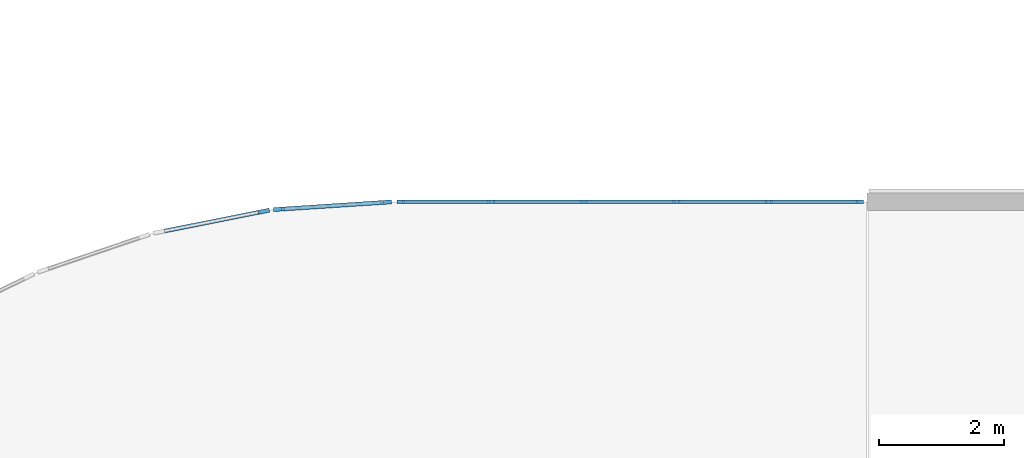
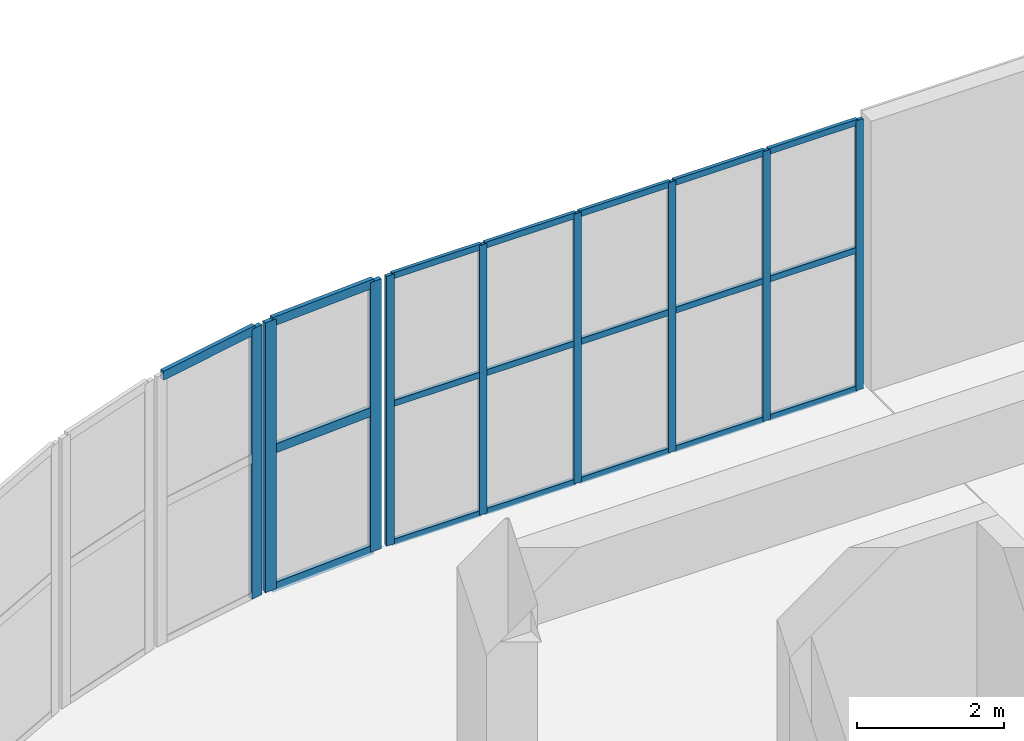
# One storey, part 12 of 33: 28 members, 3 elements without a shape of their own.
"""IFC4 building model written with IfcOpenShell, lengths in metres."""

from ifc_helpers import new_model, si_unit, direction, frame, origin, origin_2d, place, context, subcontext, project, spatial, rectangle, extrude, material, layer, layer_set, material_profile, profile_set, type_object, element, aggregate, save


model = new_model("IFC4")

# Units and contexts
model_context = context("Model", 3, precision=1e-05, world=origin(), true_north=direction((0.0, 1.0)))
body_context = subcontext(model_context, "Body", "Model", "MODEL_VIEW")
ifc_project = project(units=[si_unit("LENGTHUNIT", "METRE"), si_unit("AREAUNIT", "SQUARE_METRE"), si_unit("VOLUMEUNIT", "CUBIC_METRE"), si_unit("PLANEANGLEUNIT", "RADIAN"), si_unit("MASSUNIT", "GRAM", prefix="KILO")], contexts=[model_context])

# Site, building, storey
site_placement = place(None, origin())
site = spatial("IfcSite", under=ifc_project, at=site_placement, CompositionType="ELEMENT")
building_placement = place(site_placement, origin())
building = spatial("IfcBuilding", under=site, at=building_placement, Name="Cendralis Terraced Arcade", CompositionType="ELEMENT")
storey_placement = place(building_placement, frame((0.0, 0.0, 19.800048828125)))
storey = spatial("IfcBuildingStorey", under=building, at=storey_placement, Name="L04", CompositionType="ELEMENT", Elevation=19.800048828125)

# Curtain wall, members
ifc_material = material(Name="Anodised aluminium EN AW-6063 T6", Category="aluminium")
ifc_layer_1 = layer(ifc_material, 0.1201171875, Name="CW-STORE-B")
ifc_layer_set_1 = layer_set([ifc_layer_1], Name="Anodised aluminium EN AW-6063 T6")
curtain_wall_type_1 = type_object("IfcCurtainWallType", Name="CW-STORE-B", PredefinedType="USERDEFINED", material=ifc_layer_set_1)
curtain_wall_1_placement = place(storey_placement, origin())
curtain_wall_1 = element("IfcCurtainWall", 1, at=curtain_wall_1_placement, inside=storey, type_object=curtain_wall_type_1, Name="Exterior Storefront Glazing CW-L04-0376", ObjectType="STOREFRONT GLAZING", PredefinedType="USERDEFINED")
ifc_material_profile_1 = material_profile(ifc_material, rectangle(XDim=0.054931640625, YDim=0.1201171875, at=origin_2d()), Name="ALU-MUL-55x120")
ifc_profile_set_1 = profile_set([ifc_material_profile_1], Name="Anodised aluminium EN AW-6063 T6")
member_type_1 = type_object("IfcMemberType", Name="CW-STORE-B-MUL", PredefinedType="MULLION", material=ifc_profile_set_1)
member_1_placement = place(storey_placement, frame((21.3173828125, 85.800048828125, 0.0), z_axis=(0.0, 0.0, 1.0), x_axis=(0.0, 1.0, 0.0)))
member_1 = element("IfcMember", 2, at=member_1_placement, type_object=member_type_1, Name="CW-S2 mullion 1", PredefinedType="MULLION", context=body_context, shape_type="SweptSolid", body=[
    extrude(rectangle(XDim=0.054931640625, YDim=0.1201171875, at=origin_2d()), origin(), (0.0, 0.0, 1.0), 4.47998046875),
])
member_2_placement = place(storey_placement, frame((22.77392578125, 85.800048828125, 0.0), z_axis=(0.0, 0.0, 1.0), x_axis=(0.0, 1.0, 0.0)))
member_2 = element("IfcMember", 3, at=member_2_placement, type_object=member_type_1, Name="CW-S2 mullion 2", PredefinedType="MULLION", context=body_context, shape_type="SweptSolid", body=[
    extrude(rectangle(XDim=0.054931640625, YDim=0.1201171875, at=origin_2d()), origin(), (0.0, 0.0, 1.0), 4.47998046875),
])
member_3_placement = place(storey_placement, frame((24.258056640625, 85.800048828125, 0.0), z_axis=(0.0, 0.0, 1.0), x_axis=(0.0, 1.0, 0.0)))
member_3 = element("IfcMember", 4, at=member_3_placement, type_object=member_type_1, Name="CW-S2 mullion 3", PredefinedType="MULLION", context=body_context, shape_type="SweptSolid", body=[
    extrude(rectangle(XDim=0.054931640625, YDim=0.1201171875, at=origin_2d()), origin(), (0.0, 0.0, 1.0), 4.47998046875),
])
member_4_placement = place(storey_placement, frame((25.741943359375, 85.800048828125, 0.0), z_axis=(0.0, 0.0, 1.0), x_axis=(0.0, 1.0, 0.0)))
member_4 = element("IfcMember", 5, at=member_4_placement, type_object=member_type_1, Name="CW-S2 mullion 4", PredefinedType="MULLION", context=body_context, shape_type="SweptSolid", body=[
    extrude(rectangle(XDim=0.054931640625, YDim=0.1201171875, at=origin_2d()), origin(), (0.0, 0.0, 1.0), 4.47998046875),
])
member_5_placement = place(storey_placement, frame((27.22607421875, 85.800048828125, 0.0), z_axis=(0.0, 0.0, 1.0), x_axis=(0.0, 1.0, 0.0)))
member_5 = element("IfcMember", 6, at=member_5_placement, type_object=member_type_1, Name="CW-S2 mullion 5", PredefinedType="MULLION", context=body_context, shape_type="SweptSolid", body=[
    extrude(rectangle(XDim=0.054931640625, YDim=0.1201171875, at=origin_2d()), origin(), (0.0, 0.0, 1.0), 4.47998046875),
])
member_6_placement = place(storey_placement, frame((28.6826171875, 85.800048828125, 0.0), z_axis=(0.0, 0.0, 1.0), x_axis=(0.0, 1.0, 0.0)))
member_6 = element("IfcMember", 7, at=member_6_placement, type_object=member_type_1, Name="CW-S2 mullion 6", PredefinedType="MULLION", context=body_context, shape_type="SweptSolid", body=[
    extrude(rectangle(XDim=0.054931640625, YDim=0.1201171875, at=origin_2d()), origin(), (0.0, 0.0, 1.0), 4.47998046875),
])
ifc_material_profile_2 = material_profile(ifc_material, rectangle(XDim=0.054931640625, YDim=0.10009765625, at=origin_2d()), Name="ALU-TRN-55x100")
ifc_profile_set_2 = profile_set([ifc_material_profile_2], Name="Anodised aluminium EN AW-6063 T6")
member_type_2 = type_object("IfcMemberType", Name="CW-STORE-B-TRN", PredefinedType="USERDEFINED", material=ifc_profile_set_2)
member_7_placement = place(storey_placement, frame((21.344970703125, 85.800048828125, 0.02734375), z_axis=(1.0, 0.0, 0.0), x_axis=(0.0, 1.0, 0.0)))
member_7 = element("IfcMember", 8, at=member_7_placement, type_object=member_type_2, Name="CW-S2 transom 1.1", ObjectType="TRANSOM", PredefinedType="USERDEFINED", context=body_context, shape_type="SweptSolid", body=[
    extrude(rectangle(XDim=0.054931640625, YDim=0.10009765625, at=origin_2d()), origin(), (0.0, 0.0, 1.0), 1.401611328125),
])
member_8_placement = place(storey_placement, frame((21.344970703125, 85.800048828125, 2.32958984375), z_axis=(1.0, 0.0, 0.0), x_axis=(0.0, 1.0, 0.0)))
member_8 = element("IfcMember", 9, at=member_8_placement, type_object=member_type_2, Name="CW-S2 transom 1.2", ObjectType="TRANSOM", PredefinedType="USERDEFINED", context=body_context, shape_type="SweptSolid", body=[
    extrude(rectangle(XDim=0.054931640625, YDim=0.10009765625, at=origin_2d()), origin(), (0.0, 0.0, 1.0), 1.401611328125),
])
member_9_placement = place(storey_placement, frame((21.344970703125, 85.800048828125, 4.452392578125), z_axis=(1.0, 0.0, 0.0), x_axis=(0.0, 1.0, 0.0)))
member_9 = element("IfcMember", 10, at=member_9_placement, type_object=member_type_2, Name="CW-S2 transom 1.3", ObjectType="TRANSOM", PredefinedType="USERDEFINED", context=body_context, shape_type="SweptSolid", body=[
    extrude(rectangle(XDim=0.054931640625, YDim=0.10009765625, at=origin_2d()), origin(), (0.0, 0.0, 1.0), 1.401611328125),
])
member_10_placement = place(storey_placement, frame((22.801513671875, 85.800048828125, 0.02734375), z_axis=(1.0, 0.0, 0.0), x_axis=(0.0, 1.0, 0.0)))
member_10 = element("IfcMember", 11, at=member_10_placement, type_object=member_type_2, Name="CW-S2 transom 2.1", ObjectType="TRANSOM", PredefinedType="USERDEFINED", context=body_context, shape_type="SweptSolid", body=[
    extrude(rectangle(XDim=0.054931640625, YDim=0.10009765625, at=origin_2d()), origin(), (0.0, 0.0, 1.0), 1.428955078125),
])
member_11_placement = place(storey_placement, frame((22.801513671875, 85.800048828125, 2.32958984375), z_axis=(1.0, 0.0, 0.0), x_axis=(0.0, 1.0, 0.0)))
member_11 = element("IfcMember", 12, at=member_11_placement, type_object=member_type_2, Name="CW-S2 transom 2.2", ObjectType="TRANSOM", PredefinedType="USERDEFINED", context=body_context, shape_type="SweptSolid", body=[
    extrude(rectangle(XDim=0.054931640625, YDim=0.10009765625, at=origin_2d()), origin(), (0.0, 0.0, 1.0), 1.428955078125),
])
member_12_placement = place(storey_placement, frame((22.801513671875, 85.800048828125, 4.452392578125), z_axis=(1.0, 0.0, 0.0), x_axis=(0.0, 1.0, 0.0)))
member_12 = element("IfcMember", 13, at=member_12_placement, type_object=member_type_2, Name="CW-S2 transom 2.3", ObjectType="TRANSOM", PredefinedType="USERDEFINED", context=body_context, shape_type="SweptSolid", body=[
    extrude(rectangle(XDim=0.054931640625, YDim=0.10009765625, at=origin_2d()), origin(), (0.0, 0.0, 1.0), 1.428955078125),
])
member_13_placement = place(storey_placement, frame((24.285400390625, 85.800048828125, 0.02734375), z_axis=(1.0, 0.0, 0.0), x_axis=(0.0, 1.0, 0.0)))
member_13 = element("IfcMember", 14, at=member_13_placement, type_object=member_type_2, Name="CW-S2 transom 3.1", ObjectType="TRANSOM", PredefinedType="USERDEFINED", context=body_context, shape_type="SweptSolid", body=[
    extrude(rectangle(XDim=0.054931640625, YDim=0.10009765625, at=origin_2d()), origin(), (0.0, 0.0, 1.0), 1.42919921875),
])
member_14_placement = place(storey_placement, frame((24.285400390625, 85.800048828125, 2.32958984375), z_axis=(1.0, 0.0, 0.0), x_axis=(0.0, 1.0, 0.0)))
member_14 = element("IfcMember", 15, at=member_14_placement, type_object=member_type_2, Name="CW-S2 transom 3.2", ObjectType="TRANSOM", PredefinedType="USERDEFINED", context=body_context, shape_type="SweptSolid", body=[
    extrude(rectangle(XDim=0.054931640625, YDim=0.10009765625, at=origin_2d()), origin(), (0.0, 0.0, 1.0), 1.42919921875),
])
member_15_placement = place(storey_placement, frame((24.285400390625, 85.800048828125, 4.452392578125), z_axis=(1.0, 0.0, 0.0), x_axis=(0.0, 1.0, 0.0)))
member_15 = element("IfcMember", 16, at=member_15_placement, type_object=member_type_2, Name="CW-S2 transom 3.3", ObjectType="TRANSOM", PredefinedType="USERDEFINED", context=body_context, shape_type="SweptSolid", body=[
    extrude(rectangle(XDim=0.054931640625, YDim=0.10009765625, at=origin_2d()), origin(), (0.0, 0.0, 1.0), 1.42919921875),
])
member_16_placement = place(storey_placement, frame((25.76953125, 85.800048828125, 0.02734375), z_axis=(1.0, 0.0, 0.0), x_axis=(0.0, 1.0, 0.0)))
member_16 = element("IfcMember", 17, at=member_16_placement, type_object=member_type_2, Name="CW-S2 transom 4.1", ObjectType="TRANSOM", PredefinedType="USERDEFINED", context=body_context, shape_type="SweptSolid", body=[
    extrude(rectangle(XDim=0.054931640625, YDim=0.10009765625, at=origin_2d()), origin(), (0.0, 0.0, 1.0), 1.428955078125),
])
member_17_placement = place(storey_placement, frame((25.76953125, 85.800048828125, 2.32958984375), z_axis=(1.0, 0.0, 0.0), x_axis=(0.0, 1.0, 0.0)))
member_17 = element("IfcMember", 18, at=member_17_placement, type_object=member_type_2, Name="CW-S2 transom 4.2", ObjectType="TRANSOM", PredefinedType="USERDEFINED", context=body_context, shape_type="SweptSolid", body=[
    extrude(rectangle(XDim=0.054931640625, YDim=0.10009765625, at=origin_2d()), origin(), (0.0, 0.0, 1.0), 1.428955078125),
])
member_18_placement = place(storey_placement, frame((25.76953125, 85.800048828125, 4.452392578125), z_axis=(1.0, 0.0, 0.0), x_axis=(0.0, 1.0, 0.0)))
member_18 = element("IfcMember", 19, at=member_18_placement, type_object=member_type_2, Name="CW-S2 transom 4.3", ObjectType="TRANSOM", PredefinedType="USERDEFINED", context=body_context, shape_type="SweptSolid", body=[
    extrude(rectangle(XDim=0.054931640625, YDim=0.10009765625, at=origin_2d()), origin(), (0.0, 0.0, 1.0), 1.428955078125),
])
member_19_placement = place(storey_placement, frame((27.25341796875, 85.800048828125, 0.02734375), z_axis=(1.0, 0.0, 0.0), x_axis=(0.0, 1.0, 0.0)))
member_19 = element("IfcMember", 20, at=member_19_placement, type_object=member_type_2, Name="CW-S2 transom 5.1", ObjectType="TRANSOM", PredefinedType="USERDEFINED", context=body_context, shape_type="SweptSolid", body=[
    extrude(rectangle(XDim=0.054931640625, YDim=0.10009765625, at=origin_2d()), origin(), (0.0, 0.0, 1.0), 1.401611328125),
])
member_20_placement = place(storey_placement, frame((27.25341796875, 85.800048828125, 2.32958984375), z_axis=(1.0, 0.0, 0.0), x_axis=(0.0, 1.0, 0.0)))
member_20 = element("IfcMember", 21, at=member_20_placement, type_object=member_type_2, Name="CW-S2 transom 5.2", ObjectType="TRANSOM", PredefinedType="USERDEFINED", context=body_context, shape_type="SweptSolid", body=[
    extrude(rectangle(XDim=0.054931640625, YDim=0.10009765625, at=origin_2d()), origin(), (0.0, 0.0, 1.0), 1.401611328125),
])
member_21_placement = place(storey_placement, frame((27.25341796875, 85.800048828125, 4.452392578125), z_axis=(1.0, 0.0, 0.0), x_axis=(0.0, 1.0, 0.0)))
member_21 = element("IfcMember", 22, at=member_21_placement, type_object=member_type_2, Name="CW-S2 transom 5.3", ObjectType="TRANSOM", PredefinedType="USERDEFINED", context=body_context, shape_type="SweptSolid", body=[
    extrude(rectangle(XDim=0.054931640625, YDim=0.10009765625, at=origin_2d()), origin(), (0.0, 0.0, 1.0), 1.401611328125),
])
aggregate(curtain_wall_1, [member_1, member_2, member_3, member_4, member_5, member_6, member_7, member_8, member_9, member_10, member_11, member_12, member_13, member_14, member_15, member_16, member_17, member_18, member_19, member_20, member_21])

# Curtain wall, member
ifc_layer_2 = layer(ifc_material, 0.179931640625, Name="CW-UNIT-A")
ifc_layer_set_2 = layer_set([ifc_layer_2], Name="Anodised aluminium EN AW-6063 T6")
curtain_wall_type_2 = type_object("IfcCurtainWallType", Name="CW-UNIT-A", PredefinedType="USERDEFINED", material=ifc_layer_set_2)
curtain_wall_2_placement = place(storey_placement, origin())
curtain_wall_2 = element("IfcCurtainWall", 23, at=curtain_wall_2_placement, inside=storey, type_object=curtain_wall_type_2, Name="Exterior Unitised Facade CW-L04-0374", ObjectType="UNITISED FACADE", PredefinedType="USERDEFINED")
ifc_material_profile_3 = material_profile(ifc_material, rectangle(XDim=0.06494140625, YDim=0.179931640625, at=origin_2d()), Name="ALU-MUL-65x180")
ifc_profile_set_3 = profile_set([ifc_material_profile_3], Name="Anodised aluminium EN AW-6063 T6")
member_type_3 = type_object("IfcMemberType", Name="CW-UNIT-A-MUL", PredefinedType="MULLION", material=ifc_profile_set_3)
member_22_placement = place(storey_placement, frame((19.121826171875, 85.647705078125, 0.0), z_axis=(0.0, 0.0, 1.0), x_axis=(-0.195058454434, 0.980791618721, 0.0)))
member_22 = element("IfcMember", 24, at=member_22_placement, type_object=member_type_3, Name="CW-U1 mullion 2", PredefinedType="MULLION", context=body_context, shape_type="SweptSolid", body=[
    extrude(rectangle(XDim=0.06494140625, YDim=0.179931640625, at=origin_2d()), origin(), (0.0, 0.0, 1.0), 4.47998046875),
])

# Curtain wall, members
curtain_wall_3_placement = place(storey_placement, origin())
curtain_wall_3 = element("IfcCurtainWall", 25, at=curtain_wall_3_placement, inside=storey, type_object=curtain_wall_type_2, Name="Exterior Unitised Facade CW-L04-0375", ObjectType="UNITISED FACADE", PredefinedType="USERDEFINED")
member_23_placement = place(storey_placement, frame((19.3642578125, 85.6796875, 0.0), z_axis=(0.0, 0.0, 1.0), x_axis=(-0.065371873798, 0.997860971336, 0.0)))
member_23 = element("IfcMember", 26, at=member_23_placement, type_object=member_type_3, Name="CW-U1 mullion 1", PredefinedType="MULLION", context=body_context, shape_type="SweptSolid", body=[
    extrude(rectangle(XDim=0.06494140625, YDim=0.179931640625, at=origin_2d()), origin(), (0.0, 0.0, 1.0), 4.47998046875),
])
member_24_placement = place(storey_placement, frame((21.077880859375, 85.7919921875, 0.0), z_axis=(0.0, 0.0, 1.0), x_axis=(-0.065371873798, 0.997860971336, 0.0)))
member_24 = element("IfcMember", 27, at=member_24_placement, type_object=member_type_3, Name="CW-U1 mullion 2", PredefinedType="MULLION", context=body_context, shape_type="SweptSolid", body=[
    extrude(rectangle(XDim=0.06494140625, YDim=0.179931640625, at=origin_2d()), origin(), (0.0, 0.0, 1.0), 4.47998046875),
])

# Member
ifc_material_profile_4 = material_profile(ifc_material, rectangle(XDim=0.06494140625, YDim=0.14990234375, at=origin_2d()), Name="ALU-TRN-65x150")
ifc_profile_set_4 = profile_set([ifc_material_profile_4], Name="Anodised aluminium EN AW-6063 T6")
member_type_4 = type_object("IfcMemberType", Name="CW-UNIT-A-TRN", PredefinedType="USERDEFINED", material=ifc_profile_set_4)
member_25_placement = place(storey_placement, frame((17.4697265625, 85.319091796875, 4.447509765625), z_axis=(0.980790408784, 0.195064538134, 0.0), x_axis=(-0.195064538134, 0.980790408784, 0.0)))
member_25 = element("IfcMember", 28, at=member_25_placement, type_object=member_type_4, Name="CW-U1 transom 1.3", ObjectType="TRANSOM", PredefinedType="USERDEFINED", context=body_context, shape_type="SweptSolid", body=[
    extrude(rectangle(XDim=0.06494140625, YDim=0.14990234375, at=origin_2d()), origin(), (0.0, 0.0, 1.0), 1.652099609375),
])

aggregate(curtain_wall_2, [member_22, member_25])

member_26_placement = place(storey_placement, frame((19.396728515625, 85.681884765625, 0.032470703125), z_axis=(0.997864850039, 0.065312640858, 0.0), x_axis=(-0.065312640858, 0.997864850039, 0.0)))
member_26 = element("IfcMember", 29, at=member_26_placement, type_object=member_type_4, Name="CW-U1 transom 1.1", ObjectType="TRANSOM", PredefinedType="USERDEFINED", context=body_context, shape_type="SweptSolid", body=[
    extrude(rectangle(XDim=0.06494140625, YDim=0.14990234375, at=origin_2d()), origin(), (0.0, 0.0, 1.0), 1.652099609375),
])

member_27_placement = place(storey_placement, frame((19.396728515625, 85.681884765625, 2.32958984375), z_axis=(0.997864850039, 0.065312640858, 0.0), x_axis=(-0.065312640858, 0.997864850039, 0.0)))
member_27 = element("IfcMember", 30, at=member_27_placement, type_object=member_type_4, Name="CW-U1 transom 1.2", ObjectType="TRANSOM", PredefinedType="USERDEFINED", context=body_context, shape_type="SweptSolid", body=[
    extrude(rectangle(XDim=0.06494140625, YDim=0.14990234375, at=origin_2d()), origin(), (0.0, 0.0, 1.0), 1.652099609375),
])

member_28_placement = place(storey_placement, frame((19.396728515625, 85.681884765625, 4.447509765625), z_axis=(0.997864850039, 0.065312640858, 0.0), x_axis=(-0.065312640858, 0.997864850039, 0.0)))
member_28 = element("IfcMember", 31, at=member_28_placement, type_object=member_type_4, Name="CW-U1 transom 1.3", ObjectType="TRANSOM", PredefinedType="USERDEFINED", context=body_context, shape_type="SweptSolid", body=[
    extrude(rectangle(XDim=0.06494140625, YDim=0.14990234375, at=origin_2d()), origin(), (0.0, 0.0, 1.0), 1.652099609375),
])

aggregate(curtain_wall_3, [member_23, member_24, member_26, member_27, member_28])

save(model, "model.ifc")
